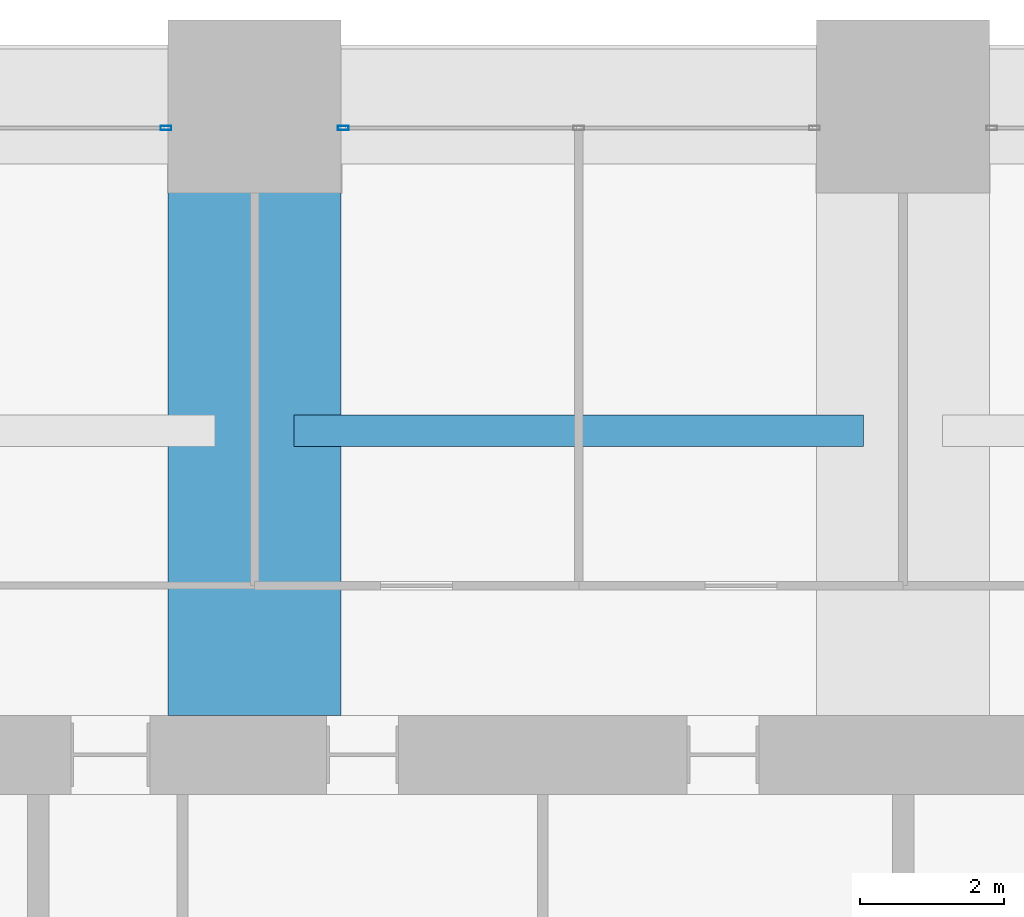
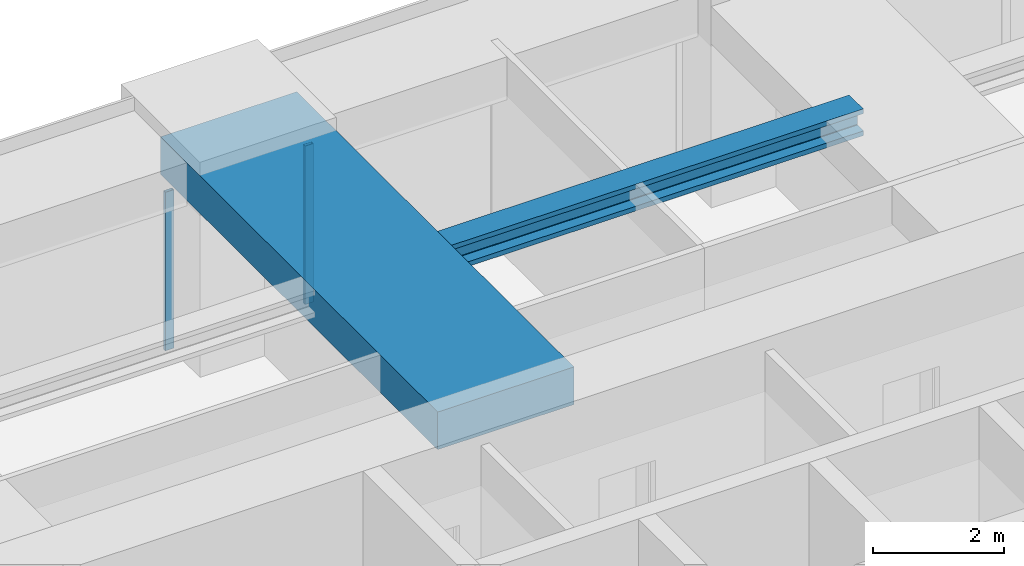
# One storey, part 24 of 34: 2 beams, 2 members, 2 elements without a shape of their own.
"""IFC4 building model written with IfcOpenShell, lengths in metres."""

import ifcopenshell
import ifcopenshell.guid

model = None  # the IFC model being written
_history = None  # IfcOwnerHistory: only IFC2X3 demands one
_inside = {}  # id of a spatial element -> (the spatial element, [elements in it])
_under = {}  # id of a project, library or spatial element -> (it, [spatial elements below it])
_declared = {}  # id of a project -> (the project, [libraries it declares])
_typed = {}  # id of a type object -> (the type object, [elements of that type])
_made_of = {}  # id of a material, layer set ... -> (it, [elements and type objects made of it])


def new_model(schema):
    """Start an empty IFC model of exactly this schema.

    Asked for "IFC4X3", IfcOpenShell would pick the latest addendum, in which some entities
    have other attributes; the version numbers below select the first issue.
    IFC2X3 requires an IfcOwnerHistory on every rooted entity: one is made here for all.
    """
    global model, _history
    if schema == "IFC4X3":
        model = ifcopenshell.file(schema_version=(4, 3, 0, 0))
    else:
        model = ifcopenshell.file(schema=schema)
    _inside.clear()
    _under.clear()
    _declared.clear()
    _typed.clear()
    _made_of.clear()
    _history = None
    if model.schema == "IFC2X3":
        org = make("IfcOrganization", Name="unknown")
        user = make(
            "IfcPersonAndOrganization",
            ThePerson=make("IfcPerson", FamilyName="unknown"),
            TheOrganization=org,
        )
        app = make(
            "IfcApplication",
            ApplicationDeveloper=org,
            Version="unknown",
            ApplicationFullName="unknown",
            ApplicationIdentifier="unknown",
        )
        _history = make(
            "IfcOwnerHistory",
            OwningUser=user,
            OwningApplication=app,
            ChangeAction="ADDED",
            CreationDate=0,
        )
    return model


def make(cls, **values):
    """One entity of the class cls with the attributes given. An attribute that is None is left unset."""
    return model.create_entity(
        cls, **{name: value for name, value in values.items() if value is not None}
    )


def rooted(cls, **values):
    """An entity with a GlobalId (a new one), such as an element, a storey or a relation."""
    return make(cls, GlobalId=ifcopenshell.guid.new(), OwnerHistory=_history, **values)


def si_unit(unit_type, name, prefix=None):
    """IfcSIUnit, for example si_unit("LENGTHUNIT", "METRE", prefix="MILLI")."""
    return make("IfcSIUnit", UnitType=unit_type, Prefix=prefix, Name=name)


def assignment(units):
    """IfcUnitAssignment: the units of a project."""
    return None if units is None else make("IfcUnitAssignment", Units=units)


def point(xyz):
    """IfcCartesianPoint."""
    return None if xyz is None else make("IfcCartesianPoint", Coordinates=xyz)


def direction(xyz):
    """IfcDirection."""
    return None if xyz is None else make("IfcDirection", DirectionRatios=xyz)


def frame(location, z_axis=None, x_axis=None):
    """IfcAxis2Placement3D, a coordinate frame: its origin and axes. An axis left out is left unset."""
    return make(
        "IfcAxis2Placement3D",
        Location=point(location),
        Axis=direction(z_axis),
        RefDirection=direction(x_axis),
    )


def frame_2d(location, x_axis=None):
    """IfcAxis2Placement2D, a coordinate frame in the plane: its origin and x axis."""
    return make(
        "IfcAxis2Placement2D", Location=point(location), RefDirection=direction(x_axis)
    )


def origin():
    """The frame at (0, 0, 0) with its axes left unset."""
    return frame((0.0, 0.0, 0.0))


def origin_2d():
    """The frame at (0, 0) in the plane with its x axis left unset."""
    return frame_2d((0.0, 0.0))


def place(relative_to, where):
    """IfcLocalPlacement: puts the frame where relative to a parent placement (None: the world)."""
    return make(
        "IfcLocalPlacement", PlacementRelTo=relative_to, RelativePlacement=where
    )


def context(
    kind, dimensions, precision=None, world=None, true_north=None, identifier=None
):
    """IfcGeometricRepresentationContext, for example the 3D "Model" context."""
    return make(
        "IfcGeometricRepresentationContext",
        ContextIdentifier=identifier,
        ContextType=kind,
        CoordinateSpaceDimension=dimensions,
        Precision=precision,
        WorldCoordinateSystem=world,
        TrueNorth=true_north,
    )


def subcontext(parent, identifier, kind, view, scale=None):
    """IfcGeometricRepresentationSubContext, for example "Body" below "Model"."""
    return make(
        "IfcGeometricRepresentationSubContext",
        ContextIdentifier=identifier,
        ContextType=kind,
        ParentContext=parent,
        TargetScale=scale,
        TargetView=view,
    )


def project(units=None, contexts=None):
    """IfcProject with its units and contexts."""
    return rooted(
        "IfcProject",
        Name="project",
        RepresentationContexts=contexts,
        UnitsInContext=assignment(units),
    )


def spatial(cls, under=None, at=None, **own):
    """A site, building, storey or space (cls), placed at a placement, below another one or the project."""
    s = rooted(cls, ObjectPlacement=at, **own)
    if under is not None:
        _under.setdefault(under.id(), (under, []))[1].append(s)
    return s


def profile(cls, at=None, kind="AREA", **sizes):
    """A parametric profile (cls). Its sizes go by their IFC names, for example OverallWidth=200.0."""
    return make(cls, ProfileType=kind, Position=at, **sizes)


def rectangle(**sizes):
    """IfcRectangleProfileDef."""
    return profile("IfcRectangleProfileDef", **sizes)


def hollow_rectangle(**sizes):
    """IfcRectangleHollowProfileDef."""
    return profile("IfcRectangleHollowProfileDef", **sizes)


def i_section(**sizes):
    """IfcIShapeProfileDef."""
    return profile("IfcIShapeProfileDef", **sizes)


def extrude(swept, where, along, depth):
    """IfcExtrudedAreaSolid: the profile swept, set in the frame where, extruded along a direction by depth."""
    return make(
        "IfcExtrudedAreaSolid",
        SweptArea=swept,
        Position=where,
        ExtrudedDirection=direction(along),
        Depth=depth,
    )


def shape(context_of_items, identifier, shape_type, items):
    """IfcShapeRepresentation: the items that make up one representation, for example the "Body"."""
    return make(
        "IfcShapeRepresentation",
        ContextOfItems=context_of_items,
        RepresentationIdentifier=identifier,
        RepresentationType=shape_type,
        Items=items,
    )


def material(Name=None, Category=None):
    """IfcMaterial."""
    return make("IfcMaterial", Name=Name, Category=Category)


def material_profile(
    of_material, cross_section, Name=None, Category=None, Priority=None
):
    """IfcMaterialProfile: a cross section and its material."""
    return make(
        "IfcMaterialProfile",
        Name=Name,
        Material=of_material,
        Profile=cross_section,
        Priority=Priority,
        Category=Category,
    )


def profile_set(profiles, Name=None, composite=None):
    """IfcMaterialProfileSet."""
    return make(
        "IfcMaterialProfileSet",
        Name=Name,
        MaterialProfiles=profiles,
        CompositeProfile=composite,
    )


def made_of(thing, what):
    """Note that an element or type object is made of a material, layer set ...; save() writes the relation."""
    if what is not None:
        _made_of.setdefault(what.id(), (what, []))[1].append(thing)
    return thing


def type_object(cls, material=None, **own):
    """A type object (cls), such as IfcWallType, which elements share."""
    return made_of(rooted(cls, **own), material)


def element(
    cls,
    number,
    at=None,
    inside=None,
    cuts=None,
    type_object=None,
    material=None,
    context=None,
    identifier="Body",
    shape_type=None,
    held_by="IfcProductDefinitionShape",
    body=None,
    shapes=None,
    **own,
):
    """One element of the class cls, such as IfcWall. Its Tag is "e" and its number.

    at: its placement. inside: the storey or other place that contains it. cuts: it is an
    opening in that element (IfcRelVoidsElement). A single representation is given by context,
    identifier, shape_type and body (its items); several are given by shapes. held_by: the class
    of the entity that holds the representations. save() writes the other relations.
    """
    e = rooted(cls, Tag="e%d" % number, ObjectPlacement=at, **own)
    if body is not None:
        shapes = [shape(context, identifier, shape_type, body)]
    if shapes is not None:
        e.Representation = make(held_by, Representations=shapes)
    if inside is not None:
        _inside.setdefault(inside.id(), (inside, []))[1].append(e)
    if cuts is not None:
        rooted(
            "IfcRelVoidsElement", RelatingBuildingElement=cuts, RelatedOpeningElement=e
        )
    if type_object is not None:
        _typed.setdefault(type_object.id(), (type_object, []))[1].append(e)
    return made_of(e, material)


def aggregate(whole, parts):
    """IfcRelAggregates: a whole, such as a stair, and the parts it consists of."""
    return rooted("IfcRelAggregates", RelatingObject=whole, RelatedObjects=parts)


def save(model, path):
    """Write the relations noted so far, then the file.

    IfcRelAggregates (storeys below a building ...), IfcRelContainedInSpatialStructure (elements
    in a storey), IfcRelDefinesByType, IfcRelAssociatesMaterial and IfcRelDeclares: one each for
    every whole, place, type object, material and project.
    """
    for whole, parts in _under.values():
        aggregate(whole, parts)
    for where, things in _inside.values():
        rooted(
            "IfcRelContainedInSpatialStructure",
            RelatedElements=things,
            RelatingStructure=where,
        )
    for kind, things in _typed.values():
        rooted("IfcRelDefinesByType", RelatedObjects=things, RelatingType=kind)
    for what, things in _made_of.values():
        rooted("IfcRelAssociatesMaterial", RelatedObjects=things, RelatingMaterial=what)
    for by, libraries in _declared.values():
        rooted("IfcRelDeclares", RelatingContext=by, RelatedDefinitions=libraries)
    model.write(path)


model = new_model("IFC4")

# Units and contexts
model_context = context("Model", 3, precision=1e-05, world=origin(), true_north=direction((0.0, 1.0)))
body_context = subcontext(model_context, "Body", "Model", "MODEL_VIEW")
ifc_project = project(units=[si_unit("LENGTHUNIT", "METRE"), si_unit("AREAUNIT", "SQUARE_METRE"), si_unit("VOLUMEUNIT", "CUBIC_METRE"), si_unit("PLANEANGLEUNIT", "RADIAN"), si_unit("MASSUNIT", "GRAM", prefix="KILO")], contexts=[model_context])

# Site, building, storey
site_placement = place(None, origin())
site = spatial("IfcSite", under=ifc_project, at=site_placement, CompositionType="ELEMENT")
building_placement = place(site_placement, origin())
building = spatial("IfcBuilding", under=site, at=building_placement, Name="Zorevar Civic Tower", CompositionType="ELEMENT")
storey_placement = place(building_placement, frame((0.0, 0.0, 226.199951171875)))
storey = spatial("IfcBuildingStorey", under=building, at=storey_placement, Name="L55", CompositionType="ELEMENT", Elevation=226.199951171875)

# Beam
ifc_material_1 = material(Name="Concrete C50/60", Category="concrete")
ifc_material_profile_1 = material_profile(ifc_material_1, rectangle(XDim=2.39990234375, YDim=0.699951171875, at=origin_2d()), Name="RC 2400x700")
ifc_profile_set_1 = profile_set([ifc_material_profile_1], Name="Concrete C50/60")
beam_type_1 = type_object("IfcBeamType", Name="Beam RC 2400x700", PredefinedType="BEAM", material=ifc_profile_set_1)
beam_1_placement = place(storey_placement, frame((27.0, 36.550048828125, 3.400146484375), z_axis=(0.0, 1.0, 0.0), x_axis=(-1.0, 0.0, 0.0)))
element("IfcBeam", 1, at=beam_1_placement, inside=storey, type_object=beam_type_1, Name="Girder L56", PredefinedType="BEAM", context=body_context, shape_type="SweptSolid", body=[
    extrude(rectangle(XDim=2.39990234375, YDim=0.699951171875, at=origin_2d()), origin(), (0.0, 0.0, 1.0), 8.449951171875),
])

# Curtain wall, member
ifc_material_2 = material(Name="Dark grey solar-control glass in black aluminium frame", Category="aluminium")
curtain_wall_type = type_object("IfcCurtainWallType", Name="Curtain wall CW4 high zone", PredefinedType="NOTDEFINED", material=ifc_material_2)
curtain_wall_1_placement = place(storey_placement, origin())
curtain_wall_1 = element("IfcCurtainWall", 2, at=curtain_wall_1_placement, inside=storey, type_object=curtain_wall_type, Name="CW4 L55", PredefinedType="NOTDEFINED")
ifc_material_3 = material(Name="Aluminium, black anodised", Category="aluminium")
ifc_material_profile_2 = material_profile(ifc_material_3, hollow_rectangle(XDim=0.06005859375, YDim=0.14990234375, WallThickness=0.00390625, at=origin_2d()), Name="AL 150x60x4")
ifc_profile_set_2 = profile_set([ifc_material_profile_2], Name="Aluminium, black anodised")
member_type = type_object("IfcMemberType", Name="CW4 mullion AL 150x60x4", PredefinedType="MULLION", material=ifc_profile_set_2)
member_1_placement = place(storey_placement, frame((25.77001953125, 44.699951171875, 0.0), z_axis=(0.0, 0.0, 1.0), x_axis=(0.0, 1.0, 0.0)))
member_1 = element("IfcMember", 3, at=member_1_placement, type_object=member_type, Name="CW4 mullion 3", PredefinedType="MULLION", context=body_context, shape_type="SweptSolid", body=[
    extrude(hollow_rectangle(XDim=0.06005859375, YDim=0.14990234375, WallThickness=0.00390625, at=origin_2d()), origin(), (0.0, 0.0, 1.0), 2.949951171875),
])
aggregate(curtain_wall_1, [member_1])

curtain_wall_2_placement = place(storey_placement, origin())
curtain_wall_2 = element("IfcCurtainWall", 4, at=curtain_wall_2_placement, inside=storey, type_object=curtain_wall_type, Name="CW4 L55", PredefinedType="NOTDEFINED")
member_2_placement = place(storey_placement, frame((28.22998046875, 44.699951171875, 0.0), z_axis=(0.0, 0.0, 1.0), x_axis=(0.0, 1.0, 0.0)))
member_2 = element("IfcMember", 5, at=member_2_placement, type_object=member_type, Name="CW4 mullion 1", PredefinedType="MULLION", context=body_context, shape_type="SweptSolid", body=[
    extrude(hollow_rectangle(XDim=0.06005859375, YDim=0.14990234375, WallThickness=0.00390625, at=origin_2d()), origin(), (0.0, 0.0, 1.0), 2.949951171875),
])
aggregate(curtain_wall_2, [member_2])

# Beam
ifc_material_4 = material(Name="Steel S460M (HISTAR 460)", Category="steel")
ifc_material_profile_3 = material_profile(ifc_material_4, i_section(OverallWidth=0.431884765625, OverallDepth=0.498046875, WebThickness=0.0556640625, FlangeThickness=0.0888671875, FilletRadius=0.014892578125, at=origin_2d()), Name="HD 400x744")
ifc_profile_set_3 = profile_set([ifc_material_profile_3], Name="Steel S460M (HISTAR 460)")
beam_type_2 = type_object("IfcBeamType", Name="Core bay beam HD 400x744", PredefinedType="BEAM", material=ifc_profile_set_3)
beam_2_placement = place(storey_placement, frame((27.550048828125, 40.5, 3.5009765625), z_axis=(1.0, 0.0, 0.0), x_axis=(0.0, 1.0, 0.0)))
element("IfcBeam", 6, at=beam_2_placement, inside=storey, type_object=beam_type_2, Name="Secondary beam L56", PredefinedType="BEAM", context=body_context, shape_type="SweptSolid", body=[
    extrude(i_section(OverallWidth=0.431884765625, OverallDepth=0.498046875, WebThickness=0.0556640625, FlangeThickness=0.0888671875, FilletRadius=0.014892578125, at=origin_2d()), origin(), (0.0, 0.0, 1.0), 7.89990234375),
])

save(model, "model.ifc")
